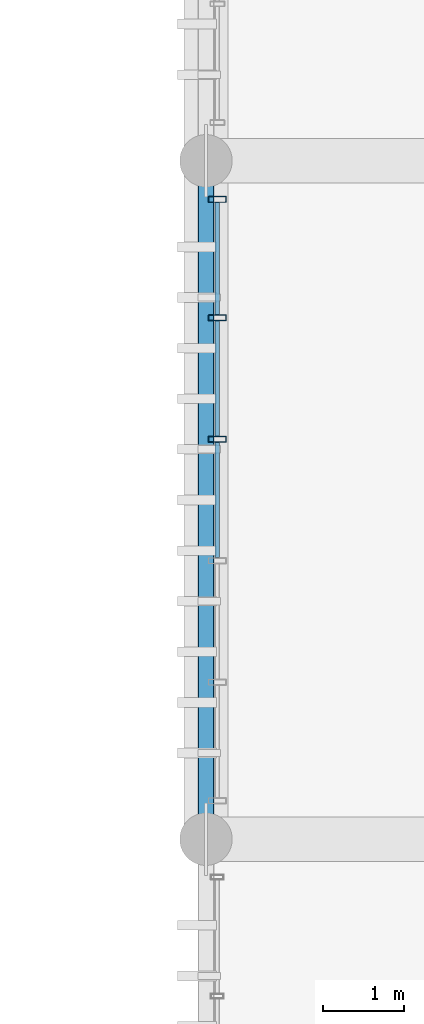
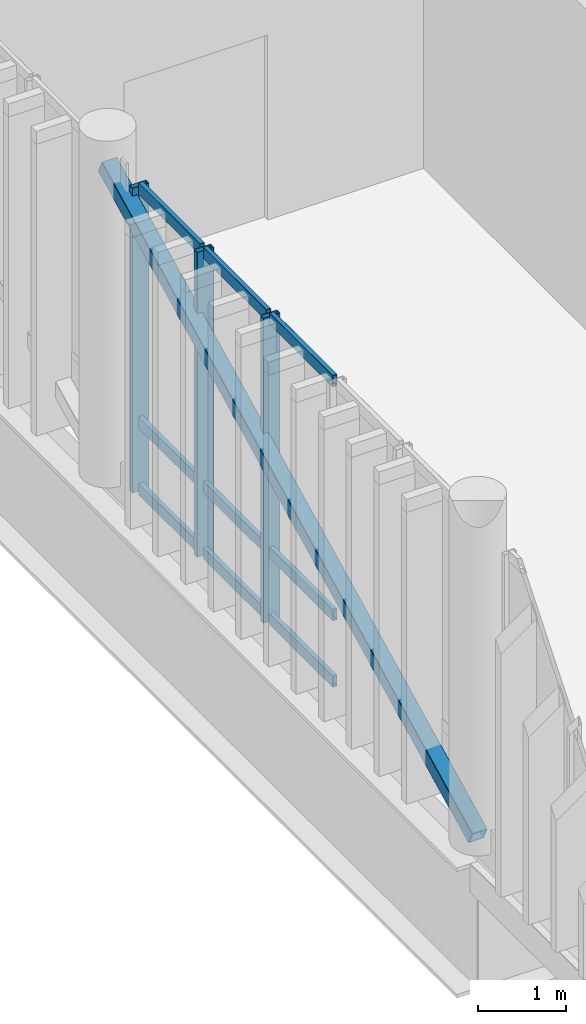
# One storey, part 43 of 81: 13 members, 1 element without a shape of its own.
"""IFC4 building model written with IfcOpenShell, lengths in metres."""

from ifc_helpers import new_model, si_unit, direction, frame, origin_with_axes, origin_2d_with_axis, place, context, subcontext, project, spatial, hollow_rectangle, extrude, material, material_profile, profile_set, type_object, element, aggregate, save


model = new_model("IFC4")

# Units and contexts
model_context = context("Model", 3, precision=1e-05, world=origin_with_axes(), true_north=direction((0.0, 1.0)))
body_context = subcontext(model_context, "Body", "Model", "MODEL_VIEW")
ifc_project = project(units=[si_unit("LENGTHUNIT", "METRE"), si_unit("AREAUNIT", "SQUARE_METRE"), si_unit("VOLUMEUNIT", "CUBIC_METRE"), si_unit("PLANEANGLEUNIT", "RADIAN"), si_unit("MASSUNIT", "GRAM", prefix="KILO"), si_unit("THERMODYNAMICTEMPERATUREUNIT", "KELVIN")], contexts=[model_context])

# Site, building, storey
site_placement = place(None, origin_with_axes())
site = spatial("IfcSite", under=ifc_project, at=site_placement, CompositionType="ELEMENT")
building_placement = place(site_placement, origin_with_axes())
building = spatial("IfcBuilding", under=site, at=building_placement, Name="Montbau Bow Law Courts", CompositionType="ELEMENT")
storey_placement = place(building_placement, frame((0.0, 0.0, 24.9), z_axis=(0.0, 0.0, 1.0), x_axis=(1.0, 0.0, 0.0)))
storey = spatial("IfcBuildingStorey", under=building, at=storey_placement, Name="L05", CompositionType="ELEMENT", Elevation=24.9)

# Member
ifc_material_1 = material(Name="Steel CSA G40.21 Grade 350W (350 MPa)", Category="steel")
ifc_material_profile_1 = material_profile(ifc_material_1, hollow_rectangle(XDim=0.203, YDim=0.203, WallThickness=0.0111, InnerFilletRadius=0.0222, OuterFilletRadius=0.0111, at=origin_2d_with_axis()), Name="HSS203X203X11", Category="Main", Priority=0)
ifc_profile_set_1 = profile_set([ifc_material_profile_1], Name="Steel CSA G40.21 Grade 350W (350 MPa)")
member_type_1 = type_object("IfcMemberType", Name="M-BRC-02", PredefinedType="BRACE", material=ifc_profile_set_1)
member_1_placement = place(None, frame((138.6, 86.4, 24.95), z_axis=(0.0, 0.894128949, 0.447809582), x_axis=(-1.0, 0.0, 0.0)))
element("IfcMember", 1, at=member_1_placement, inside=storey, type_object=member_type_1, Name="Diagonal brace CBF-L05-063A", PredefinedType="BRACE", context=body_context, shape_type="SweptSolid", body=[
    extrude(hollow_rectangle(XDim=0.203, YDim=0.203, WallThickness=0.0111, InnerFilletRadius=0.0222, OuterFilletRadius=0.0111, at=origin_2d_with_axis()), origin_with_axes(), (0.0, 0.0, 1.0), 9.394618),
])

# Curtain wall, members
ifc_material_2 = material(Name="Thermally Broken Extruded Aluminium AA 6063-T6", Category="aluminium")
curtain_wall_type = type_object("IfcCurtainWallType", Name="CW-SLT-02", PredefinedType="NOTDEFINED", material=ifc_material_2)
curtain_wall_placement = place(None, frame((138.74, 86.84, 24.9), z_axis=(0.0, 0.0, 1.0), x_axis=(1.0, 0.0, 0.0)))
curtain_wall = element("IfcCurtainWall", 2, at=curtain_wall_placement, inside=storey, type_object=curtain_wall_type, Name="CW-L05-342:cw_0342", PredefinedType="NOTDEFINED")
ifc_material_profile_2 = material_profile(ifc_material_2, hollow_rectangle(XDim=0.075, YDim=0.22, WallThickness=0.005, InnerFilletRadius=0.01, OuterFilletRadius=0.005, at=origin_2d_with_axis()), Name="CWM-220X75", Category="Main", Priority=0)
ifc_profile_set_2 = profile_set([ifc_material_profile_2], Name="Thermally Broken Extruded Aluminium AA 6063-T6")
member_type_2 = type_object("IfcMemberType", Name="M-MUL-01", PredefinedType="MULLION", material=ifc_profile_set_2)
member_2_placement = place(None, frame((138.74, 91.352, 24.9), z_axis=(0.0, 0.0, 1.0), x_axis=(0.0, 1.0, 0.0)))
member_2 = element("IfcMember", 3, at=member_2_placement, type_object=member_type_2, Name="CW-L05-342-M04:cw_0342_M04", PredefinedType="MULLION", context=body_context, shape_type="SweptSolid", body=[
    extrude(hollow_rectangle(XDim=0.075, YDim=0.22, WallThickness=0.005, InnerFilletRadius=0.01, OuterFilletRadius=0.005, at=origin_2d_with_axis()), origin_with_axes(), (0.0, 0.0, 1.0), 4.22),
])
member_3_placement = place(None, frame((138.74, 92.856, 24.9), z_axis=(0.0, 0.0, 1.0), x_axis=(0.0, 1.0, 0.0)))
member_3 = element("IfcMember", 4, at=member_3_placement, type_object=member_type_2, Name="CW-L05-342-M05:cw_0342_M05", PredefinedType="MULLION", context=body_context, shape_type="SweptSolid", body=[
    extrude(hollow_rectangle(XDim=0.075, YDim=0.22, WallThickness=0.005, InnerFilletRadius=0.01, OuterFilletRadius=0.005, at=origin_2d_with_axis()), origin_with_axes(), (0.0, 0.0, 1.0), 4.22),
])
member_4_placement = place(None, frame((138.74, 94.322, 24.9), z_axis=(0.0, 0.0, 1.0), x_axis=(0.0, 1.0, 0.0)))
member_4 = element("IfcMember", 5, at=member_4_placement, type_object=member_type_2, Name="CW-L05-342-M06:cw_0342_M06", PredefinedType="MULLION", context=body_context, shape_type="SweptSolid", body=[
    extrude(hollow_rectangle(XDim=0.075, YDim=0.22, WallThickness=0.005, InnerFilletRadius=0.01, OuterFilletRadius=0.005, at=origin_2d_with_axis()), origin_with_axes(), (0.0, 0.0, 1.0), 4.22),
])
ifc_material_profile_3 = material_profile(ifc_material_2, hollow_rectangle(XDim=0.06, YDim=0.16, WallThickness=0.004, InnerFilletRadius=0.008, OuterFilletRadius=0.004, at=origin_2d_with_axis()), Name="CWT-160X60", Category="Main", Priority=0)
ifc_profile_set_3 = profile_set([ifc_material_profile_3], Name="Thermally Broken Extruded Aluminium AA 6063-T6")
member_type_3 = type_object("IfcMemberType", Name="M-TRN-01", PredefinedType="USERDEFINED", material=ifc_profile_set_3)
member_5_placement = place(None, frame((138.74, 89.887, 24.93), z_axis=(0.0, 1.0, 0.0), x_axis=(-1.0, 0.0, 0.0)))
member_5 = element("IfcMember", 6, at=member_5_placement, type_object=member_type_3, Name="CW-L05-342-T03-1:cw_0342_T03_1", ObjectType="TRANSOM", PredefinedType="USERDEFINED", context=body_context, shape_type="SweptSolid", body=[
    extrude(hollow_rectangle(XDim=0.06, YDim=0.16, WallThickness=0.004, InnerFilletRadius=0.008, OuterFilletRadius=0.004, at=origin_2d_with_axis()), origin_with_axes(), (0.0, 0.0, 1.0), 1.426),
])
member_6_placement = place(None, frame((138.74, 89.887, 25.85), z_axis=(0.0, 1.0, 0.0), x_axis=(-1.0, 0.0, 0.0)))
member_6 = element("IfcMember", 7, at=member_6_placement, type_object=member_type_3, Name="CW-L05-342-T03-2:cw_0342_T03_2", ObjectType="TRANSOM", PredefinedType="USERDEFINED", context=body_context, shape_type="SweptSolid", body=[
    extrude(hollow_rectangle(XDim=0.06, YDim=0.16, WallThickness=0.004, InnerFilletRadius=0.008, OuterFilletRadius=0.004, at=origin_2d_with_axis()), origin_with_axes(), (0.0, 0.0, 1.0), 1.426),
])
member_7_placement = place(None, frame((138.74, 89.887, 29.09), z_axis=(0.0, 1.0, 0.0), x_axis=(-1.0, 0.0, 0.0)))
member_7 = element("IfcMember", 8, at=member_7_placement, type_object=member_type_3, Name="CW-L05-342-T03-3:cw_0342_T03_3", ObjectType="TRANSOM", PredefinedType="USERDEFINED", context=body_context, shape_type="SweptSolid", body=[
    extrude(hollow_rectangle(XDim=0.06, YDim=0.16, WallThickness=0.004, InnerFilletRadius=0.008, OuterFilletRadius=0.004, at=origin_2d_with_axis()), origin_with_axes(), (0.0, 0.0, 1.0), 1.426),
])
member_8_placement = place(None, frame((138.74, 91.391, 24.93), z_axis=(0.0, 1.0, 0.0), x_axis=(-1.0, 0.0, 0.0)))
member_8 = element("IfcMember", 9, at=member_8_placement, type_object=member_type_3, Name="CW-L05-342-T04-1:cw_0342_T04_1", ObjectType="TRANSOM", PredefinedType="USERDEFINED", context=body_context, shape_type="SweptSolid", body=[
    extrude(hollow_rectangle(XDim=0.06, YDim=0.16, WallThickness=0.004, InnerFilletRadius=0.008, OuterFilletRadius=0.004, at=origin_2d_with_axis()), origin_with_axes(), (0.0, 0.0, 1.0), 1.426),
])
member_9_placement = place(None, frame((138.74, 91.391, 25.85), z_axis=(0.0, 1.0, 0.0), x_axis=(-1.0, 0.0, 0.0)))
member_9 = element("IfcMember", 10, at=member_9_placement, type_object=member_type_3, Name="CW-L05-342-T04-2:cw_0342_T04_2", ObjectType="TRANSOM", PredefinedType="USERDEFINED", context=body_context, shape_type="SweptSolid", body=[
    extrude(hollow_rectangle(XDim=0.06, YDim=0.16, WallThickness=0.004, InnerFilletRadius=0.008, OuterFilletRadius=0.004, at=origin_2d_with_axis()), origin_with_axes(), (0.0, 0.0, 1.0), 1.426),
])
member_10_placement = place(None, frame((138.74, 91.391, 29.09), z_axis=(0.0, 1.0, 0.0), x_axis=(-1.0, 0.0, 0.0)))
member_10 = element("IfcMember", 11, at=member_10_placement, type_object=member_type_3, Name="CW-L05-342-T04-3:cw_0342_T04_3", ObjectType="TRANSOM", PredefinedType="USERDEFINED", context=body_context, shape_type="SweptSolid", body=[
    extrude(hollow_rectangle(XDim=0.06, YDim=0.16, WallThickness=0.004, InnerFilletRadius=0.008, OuterFilletRadius=0.004, at=origin_2d_with_axis()), origin_with_axes(), (0.0, 0.0, 1.0), 1.426),
])
member_11_placement = place(None, frame((138.74, 92.895, 24.93), z_axis=(0.0, 1.0, 0.0), x_axis=(-1.0, 0.0, 0.0)))
member_11 = element("IfcMember", 12, at=member_11_placement, type_object=member_type_3, Name="CW-L05-342-T05-1:cw_0342_T05_1", ObjectType="TRANSOM", PredefinedType="USERDEFINED", context=body_context, shape_type="SweptSolid", body=[
    extrude(hollow_rectangle(XDim=0.06, YDim=0.16, WallThickness=0.004, InnerFilletRadius=0.008, OuterFilletRadius=0.004, at=origin_2d_with_axis()), origin_with_axes(), (0.0, 0.0, 1.0), 1.388),
])
member_12_placement = place(None, frame((138.74, 92.895, 25.85), z_axis=(0.0, 1.0, 0.0), x_axis=(-1.0, 0.0, 0.0)))
member_12 = element("IfcMember", 13, at=member_12_placement, type_object=member_type_3, Name="CW-L05-342-T05-2:cw_0342_T05_2", ObjectType="TRANSOM", PredefinedType="USERDEFINED", context=body_context, shape_type="SweptSolid", body=[
    extrude(hollow_rectangle(XDim=0.06, YDim=0.16, WallThickness=0.004, InnerFilletRadius=0.008, OuterFilletRadius=0.004, at=origin_2d_with_axis()), origin_with_axes(), (0.0, 0.0, 1.0), 1.388),
])
member_13_placement = place(None, frame((138.74, 92.895, 29.09), z_axis=(0.0, 1.0, 0.0), x_axis=(-1.0, 0.0, 0.0)))
member_13 = element("IfcMember", 14, at=member_13_placement, type_object=member_type_3, Name="CW-L05-342-T05-3:cw_0342_T05_3", ObjectType="TRANSOM", PredefinedType="USERDEFINED", context=body_context, shape_type="SweptSolid", body=[
    extrude(hollow_rectangle(XDim=0.06, YDim=0.16, WallThickness=0.004, InnerFilletRadius=0.008, OuterFilletRadius=0.004, at=origin_2d_with_axis()), origin_with_axes(), (0.0, 0.0, 1.0), 1.388),
])
aggregate(curtain_wall, [member_2, member_3, member_4, member_5, member_6, member_7, member_8, member_9, member_10, member_11, member_12, member_13])

save(model, "model.ifc")
